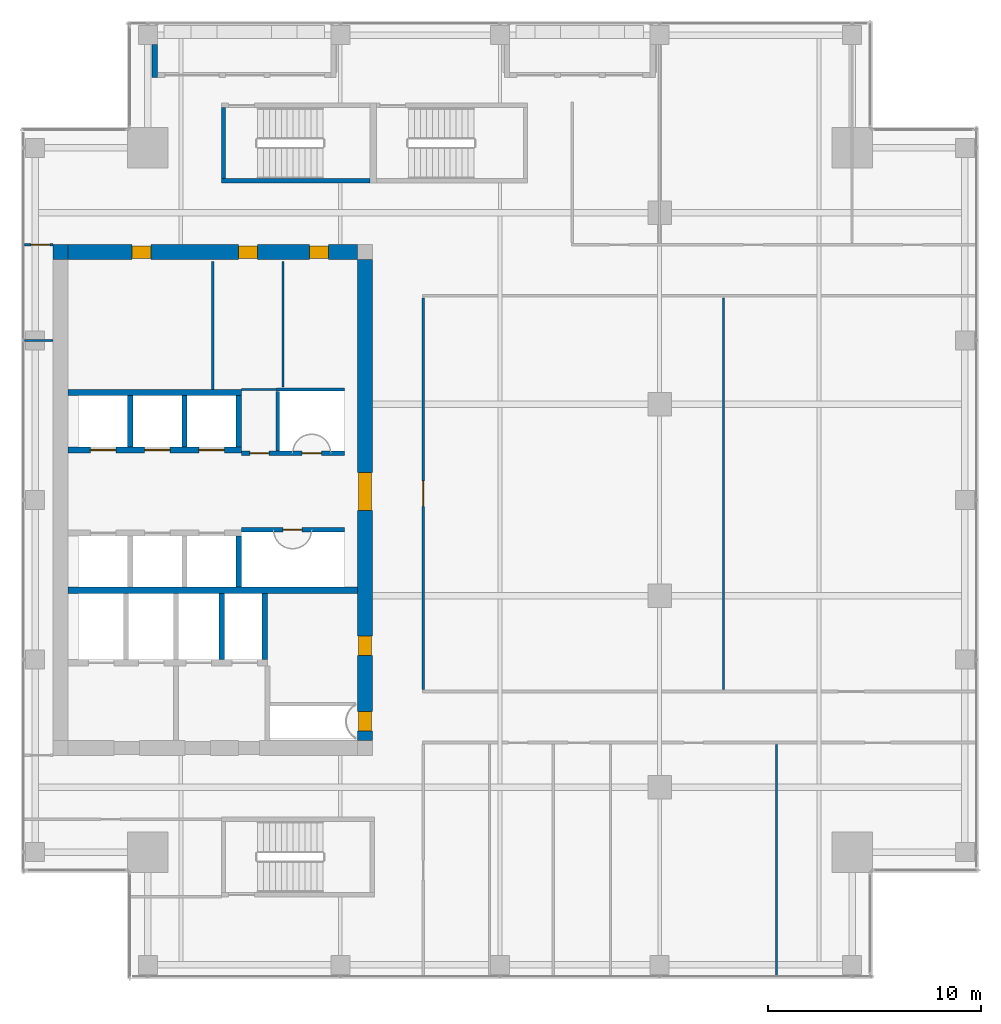
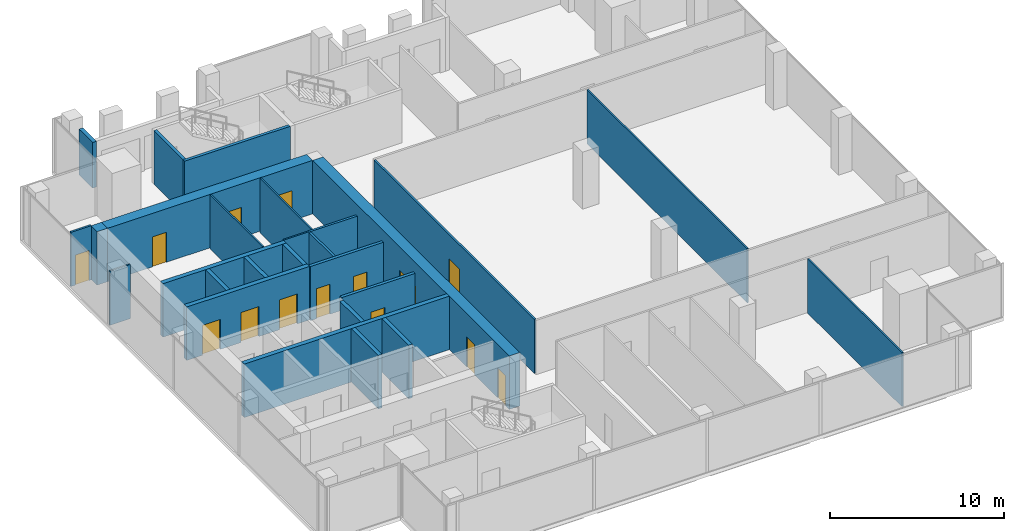
# One storey, part 31 of 35: 27 walls, 14 doors, 14 openings.
"""IFC4 building model written with IfcOpenShell, lengths in metres."""

import ifcopenshell
import ifcopenshell.guid

model = None  # the IFC model being written
_history = None  # IfcOwnerHistory: only IFC2X3 demands one
_inside = {}  # id of a spatial element -> (the spatial element, [elements in it])
_under = {}  # id of a project, library or spatial element -> (it, [spatial elements below it])
_declared = {}  # id of a project -> (the project, [libraries it declares])
_typed = {}  # id of a type object -> (the type object, [elements of that type])
_made_of = {}  # id of a material, layer set ... -> (it, [elements and type objects made of it])


def new_model(schema):
    """Start an empty IFC model of exactly this schema.

    Asked for "IFC4X3", IfcOpenShell would pick the latest addendum, in which some entities
    have other attributes; the version numbers below select the first issue.
    IFC2X3 requires an IfcOwnerHistory on every rooted entity: one is made here for all.
    """
    global model, _history
    if schema == "IFC4X3":
        model = ifcopenshell.file(schema_version=(4, 3, 0, 0))
    else:
        model = ifcopenshell.file(schema=schema)
    _inside.clear()
    _under.clear()
    _declared.clear()
    _typed.clear()
    _made_of.clear()
    _history = None
    if model.schema == "IFC2X3":
        org = make("IfcOrganization", Name="unknown")
        user = make(
            "IfcPersonAndOrganization",
            ThePerson=make("IfcPerson", FamilyName="unknown"),
            TheOrganization=org,
        )
        app = make(
            "IfcApplication",
            ApplicationDeveloper=org,
            Version="unknown",
            ApplicationFullName="unknown",
            ApplicationIdentifier="unknown",
        )
        _history = make(
            "IfcOwnerHistory",
            OwningUser=user,
            OwningApplication=app,
            ChangeAction="ADDED",
            CreationDate=0,
        )
    return model


def make(cls, **values):
    """One entity of the class cls with the attributes given. An attribute that is None is left unset."""
    return model.create_entity(
        cls, **{name: value for name, value in values.items() if value is not None}
    )


def rooted(cls, **values):
    """An entity with a GlobalId (a new one), such as an element, a storey or a relation."""
    return make(cls, GlobalId=ifcopenshell.guid.new(), OwnerHistory=_history, **values)


def si_unit(unit_type, name, prefix=None):
    """IfcSIUnit, for example si_unit("LENGTHUNIT", "METRE", prefix="MILLI")."""
    return make("IfcSIUnit", UnitType=unit_type, Prefix=prefix, Name=name)


def assignment(units):
    """IfcUnitAssignment: the units of a project."""
    return None if units is None else make("IfcUnitAssignment", Units=units)


def point(xyz):
    """IfcCartesianPoint."""
    return None if xyz is None else make("IfcCartesianPoint", Coordinates=xyz)


def direction(xyz):
    """IfcDirection."""
    return None if xyz is None else make("IfcDirection", DirectionRatios=xyz)


def frame(location, z_axis=None, x_axis=None):
    """IfcAxis2Placement3D, a coordinate frame: its origin and axes. An axis left out is left unset."""
    return make(
        "IfcAxis2Placement3D",
        Location=point(location),
        Axis=direction(z_axis),
        RefDirection=direction(x_axis),
    )


def frame_2d(location, x_axis=None):
    """IfcAxis2Placement2D, a coordinate frame in the plane: its origin and x axis."""
    return make(
        "IfcAxis2Placement2D", Location=point(location), RefDirection=direction(x_axis)
    )


def origin():
    """The frame at (0, 0, 0) with its axes left unset."""
    return frame((0.0, 0.0, 0.0))


def place(relative_to, where):
    """IfcLocalPlacement: puts the frame where relative to a parent placement (None: the world)."""
    return make(
        "IfcLocalPlacement", PlacementRelTo=relative_to, RelativePlacement=where
    )


def context(
    kind, dimensions, precision=None, world=None, true_north=None, identifier=None
):
    """IfcGeometricRepresentationContext, for example the 3D "Model" context."""
    return make(
        "IfcGeometricRepresentationContext",
        ContextIdentifier=identifier,
        ContextType=kind,
        CoordinateSpaceDimension=dimensions,
        Precision=precision,
        WorldCoordinateSystem=world,
        TrueNorth=true_north,
    )


def subcontext(parent, identifier, kind, view, scale=None):
    """IfcGeometricRepresentationSubContext, for example "Body" below "Model"."""
    return make(
        "IfcGeometricRepresentationSubContext",
        ContextIdentifier=identifier,
        ContextType=kind,
        ParentContext=parent,
        TargetScale=scale,
        TargetView=view,
    )


def project(units=None, contexts=None):
    """IfcProject with its units and contexts."""
    return rooted(
        "IfcProject",
        Name="project",
        RepresentationContexts=contexts,
        UnitsInContext=assignment(units),
    )


def spatial(cls, under=None, at=None, **own):
    """A site, building, storey or space (cls), placed at a placement, below another one or the project."""
    s = rooted(cls, ObjectPlacement=at, **own)
    if under is not None:
        _under.setdefault(under.id(), (under, []))[1].append(s)
    return s


def profile(cls, at=None, kind="AREA", **sizes):
    """A parametric profile (cls). Its sizes go by their IFC names, for example OverallWidth=200.0."""
    return make(cls, ProfileType=kind, Position=at, **sizes)


def rectangle(**sizes):
    """IfcRectangleProfileDef."""
    return profile("IfcRectangleProfileDef", **sizes)


def extrude(swept, where, along, depth):
    """IfcExtrudedAreaSolid: the profile swept, set in the frame where, extruded along a direction by depth."""
    return make(
        "IfcExtrudedAreaSolid",
        SweptArea=swept,
        Position=where,
        ExtrudedDirection=direction(along),
        Depth=depth,
    )


def shape(context_of_items, identifier, shape_type, items):
    """IfcShapeRepresentation: the items that make up one representation, for example the "Body"."""
    return make(
        "IfcShapeRepresentation",
        ContextOfItems=context_of_items,
        RepresentationIdentifier=identifier,
        RepresentationType=shape_type,
        Items=items,
    )


def source(mapping_origin, context_of_items, identifier, shape_type, items):
    """IfcRepresentationMap: a shape defined once, which mapped items show again and again."""
    return make(
        "IfcRepresentationMap",
        MappingOrigin=mapping_origin,
        MappedRepresentation=shape(context_of_items, identifier, shape_type, items),
    )


def transform(
    local_origin,
    x_axis=None,
    y_axis=None,
    z_axis=None,
    scale=None,
    scale2=None,
    scale3=None,
    uniform=True,
):
    """IfcCartesianTransformationOperator3D, or its non-uniform kind. x_axis, y_axis, z_axis: its Axis1, 2, 3."""
    if uniform:
        return make(
            "IfcCartesianTransformationOperator3D",
            Axis1=direction(x_axis),
            Axis2=direction(y_axis),
            LocalOrigin=point(local_origin),
            Scale=scale,
            Axis3=direction(z_axis),
        )
    return make(
        "IfcCartesianTransformationOperator3DnonUniform",
        Axis1=direction(x_axis),
        Axis2=direction(y_axis),
        LocalOrigin=point(local_origin),
        Scale=scale,
        Axis3=direction(z_axis),
        Scale2=scale2,
        Scale3=scale3,
    )


def mapped(mapping_source, mapping_target):
    """IfcMappedItem: shows the shape of a source again, moved by a transform."""
    return make(
        "IfcMappedItem", MappingSource=mapping_source, MappingTarget=mapping_target
    )


def material(Name=None, Category=None):
    """IfcMaterial."""
    return make("IfcMaterial", Name=Name, Category=Category)


def layer(
    of_material, thickness, ventilated=None, Name=None, Category=None, Priority=None
):
    """IfcMaterialLayer: one layer of a wall or slab, of a material (None: an air gap)."""
    return make(
        "IfcMaterialLayer",
        Material=of_material,
        LayerThickness=thickness,
        IsVentilated=ventilated,
        Name=Name,
        Category=Category,
        Priority=Priority,
    )


def layer_set(layers, Name=None):
    """IfcMaterialLayerSet."""
    return make("IfcMaterialLayerSet", MaterialLayers=layers, LayerSetName=Name)


def made_of(thing, what):
    """Note that an element or type object is made of a material, layer set ...; save() writes the relation."""
    if what is not None:
        _made_of.setdefault(what.id(), (what, []))[1].append(thing)
    return thing


def type_object(cls, material=None, **own):
    """A type object (cls), such as IfcWallType, which elements share."""
    return made_of(rooted(cls, **own), material)


def element(
    cls,
    number,
    at=None,
    inside=None,
    cuts=None,
    type_object=None,
    material=None,
    context=None,
    identifier="Body",
    shape_type=None,
    held_by="IfcProductDefinitionShape",
    body=None,
    shapes=None,
    **own,
):
    """One element of the class cls, such as IfcWall. Its Tag is "e" and its number.

    at: its placement. inside: the storey or other place that contains it. cuts: it is an
    opening in that element (IfcRelVoidsElement). A single representation is given by context,
    identifier, shape_type and body (its items); several are given by shapes. held_by: the class
    of the entity that holds the representations. save() writes the other relations.
    """
    e = rooted(cls, Tag="e%d" % number, ObjectPlacement=at, **own)
    if body is not None:
        shapes = [shape(context, identifier, shape_type, body)]
    if shapes is not None:
        e.Representation = make(held_by, Representations=shapes)
    if inside is not None:
        _inside.setdefault(inside.id(), (inside, []))[1].append(e)
    if cuts is not None:
        rooted(
            "IfcRelVoidsElement", RelatingBuildingElement=cuts, RelatedOpeningElement=e
        )
    if type_object is not None:
        _typed.setdefault(type_object.id(), (type_object, []))[1].append(e)
    return made_of(e, material)


def fill(opening, filler):
    """IfcRelFillsElement: the door or window that sits in an opening."""
    return rooted(
        "IfcRelFillsElement",
        RelatingOpeningElement=opening,
        RelatedBuildingElement=filler,
    )


def aggregate(whole, parts):
    """IfcRelAggregates: a whole, such as a stair, and the parts it consists of."""
    return rooted("IfcRelAggregates", RelatingObject=whole, RelatedObjects=parts)


def save(model, path):
    """Write the relations noted so far, then the file.

    IfcRelAggregates (storeys below a building ...), IfcRelContainedInSpatialStructure (elements
    in a storey), IfcRelDefinesByType, IfcRelAssociatesMaterial and IfcRelDeclares: one each for
    every whole, place, type object, material and project.
    """
    for whole, parts in _under.values():
        aggregate(whole, parts)
    for where, things in _inside.values():
        rooted(
            "IfcRelContainedInSpatialStructure",
            RelatedElements=things,
            RelatingStructure=where,
        )
    for kind, things in _typed.values():
        rooted("IfcRelDefinesByType", RelatedObjects=things, RelatingType=kind)
    for what, things in _made_of.values():
        rooted("IfcRelAssociatesMaterial", RelatedObjects=things, RelatingMaterial=what)
    for by, libraries in _declared.values():
        rooted("IfcRelDeclares", RelatingContext=by, RelatedDefinitions=libraries)
    model.write(path)


model = new_model("IFC4")

# Units and contexts
model_context = context("Model", 3, precision=1e-05, world=origin(), true_north=direction((0.0, 1.0)))
body_context = subcontext(model_context, "Body", "Model", "MODEL_VIEW")
ifc_project = project(units=[si_unit("LENGTHUNIT", "METRE"), si_unit("AREAUNIT", "SQUARE_METRE"), si_unit("VOLUMEUNIT", "CUBIC_METRE"), si_unit("PLANEANGLEUNIT", "RADIAN"), si_unit("MASSUNIT", "GRAM", prefix="KILO")], contexts=[model_context])

# Site, building, storey
site_placement = place(None, origin())
site = spatial("IfcSite", under=ifc_project, at=site_placement, CompositionType="ELEMENT")
building_placement = place(site_placement, origin())
building = spatial("IfcBuilding", under=site, at=building_placement, Name="Khomas Fold Tower", CompositionType="ELEMENT")
storey_placement = place(building_placement, frame((0.0, 0.0, 270.199951171875)))
storey = spatial("IfcBuildingStorey", under=building, at=storey_placement, Name="L61", CompositionType="ELEMENT", Elevation=270.199951171875)

# Walls
ifc_material_1 = material(Name="Concrete C50/60", Category="concrete")
ifc_layer_1 = layer(ifc_material_1, 0.199951171875)
ifc_layer_set_1 = layer_set([ifc_layer_1], Name="Concrete C50/60")
wall_type_1 = type_object("IfcWallType", Name="Stair wall 200", PredefinedType="SHEAR", material=ifc_layer_set_1)
shared_shape_1 = source(origin(), body_context, "Body", "SweptSolid", [
    extrude(rectangle(XDim=7.0, YDim=0.199951171875, at=frame_2d((3.5, 0.0))), origin(), (0.0, 0.0, 1.0), 3.75),
])
wall_1_placement = place(storey_placement, frame((13.89990234375, 42.0, 0.0), z_axis=(0.0, 0.0, 1.0), x_axis=(1.0, 0.0, 0.0)))
element("IfcWall", 1, at=wall_1_placement, inside=storey, type_object=wall_type_1, Name="Stair wall SW-ST1-S", PredefinedType="SHEAR", context=body_context, shape_type="MappedRepresentation", body=[
    mapped(shared_shape_1, transform((0.0, 0.0, 0.0))),
])
shared_shape_2 = source(origin(), body_context, "Body", "SweptSolid", [
    extrude(rectangle(XDim=3.349853515625, YDim=0.199951171875, at=frame_2d((1.6748046875, 0.0))), origin(), (0.0, 0.0, 1.0), 3.75),
])
wall_2_placement = place(storey_placement, frame((14.0, 42.10009765625, 0.0), z_axis=(0.0, 0.0, 1.0), x_axis=(0.0, 1.0, 0.0)))
element("IfcWall", 2, at=wall_2_placement, inside=storey, type_object=wall_type_1, Name="Stair wall SW-ST1-W", PredefinedType="SHEAR", context=body_context, shape_type="MappedRepresentation", body=[
    mapped(shared_shape_2, transform((0.0, 0.0, 0.0))),
])
ifc_material_2 = material(Name="Concrete C50/60", Category="concrete")
ifc_layer_2 = layer(ifc_material_2, 0.25)
ifc_layer_set_2 = layer_set([ifc_layer_2], Name="Concrete C50/60")
wall_type_2 = type_object("IfcWallType", Name="Shaft wall 250", PredefinedType="STANDARD", material=ifc_layer_set_2)
shared_shape_3 = source(origin(), body_context, "Body", "SweptSolid", [
    extrude(rectangle(XDim=3.10009765625, YDim=0.25, at=frame_2d((1.550048828125, 0.0))), origin(), (0.0, 0.0, 1.0), 3.75),
])
for number, where, z_axis, x_axis, name in (
    (3, (13.925048828125, 19.5, 0.0), (0.0, 0.0, 1.0), (0.0, 1.0, 0.0), "Core wall SW-FS-P3"),
    (4, (15.949951171875, 19.5, 0.0), (0.0, 0.0, 1.0), (0.0, 1.0, 0.0), "Core wall SW-FS-PE"),
):
    element("IfcWall", number, at=place(storey_placement, frame(where, z_axis=z_axis, x_axis=x_axis)), inside=storey, type_object=wall_type_2, Name=name, PredefinedType="STANDARD", context=body_context, shape_type="MappedRepresentation", body=[
        mapped(shared_shape_3, transform((0.0, 0.0, 0.0))),
    ])
shared_shape_4 = source(origin(), body_context, "Body", "SweptSolid", [
    extrude(rectangle(XDim=2.39990234375, YDim=0.25, at=frame_2d((1.199951171875, 0.0))), origin(), (0.0, 0.0, 1.0), 3.75),
])
for number, where, z_axis, x_axis, name in (
    (5, (9.625, 29.5, 0.0), (0.0, 0.0, 1.0), (0.0, 1.0, 0.0), "Core wall SW-HRN-P1"),
    (6, (12.175048828125, 29.5, 0.0), (0.0, 0.0, 1.0), (0.0, 1.0, 0.0), "Core wall SW-HRN-P2"),
    (7, (14.72509765625, 29.5, 0.0), (0.0, 0.0, 1.0), (0.0, 1.0, 0.0), "Core wall SW-HRN-PE"),
):
    element("IfcWall", number, at=place(storey_placement, frame(where, z_axis=z_axis, x_axis=x_axis)), inside=storey, type_object=wall_type_2, Name=name, PredefinedType="STANDARD", context=body_context, shape_type="MappedRepresentation", body=[
        mapped(shared_shape_4, transform((0.0, 0.0, 0.0))),
    ])
shared_shape_5 = source(origin(), body_context, "Body", "SweptSolid", [
    extrude(rectangle(XDim=2.400146484375, YDim=0.25, at=frame_2d((1.2001953125, 0.0))), origin(), (0.0, 0.0, 1.0), 3.75),
])
wall_3_placement = place(storey_placement, frame((14.72509765625, 22.89990234375, 0.0), z_axis=(0.0, 0.0, 1.0), x_axis=(0.0, 1.0, 0.0)))
element("IfcWall", 8, at=wall_3_placement, inside=storey, type_object=wall_type_2, Name="Core wall SW-HRS-PE", PredefinedType="STANDARD", context=body_context, shape_type="MappedRepresentation", body=[
    mapped(shared_shape_5, transform((0.0, 0.0, 0.0))),
])

# Wall, openings, doors
ifc_material_3 = material(Name="Concrete C60/75", Category="concrete")
ifc_layer_3 = layer(ifc_material_3, 0.699951171875)
ifc_layer_set_3 = layer_set([ifc_layer_3], Name="Concrete C60/75")
wall_type_3 = type_object("IfcWallType", Name="Core wall 700", PredefinedType="SHEAR", material=ifc_layer_set_3)
shared_shape_6 = source(origin(), body_context, "Body", "SweptSolid", [
    extrude(rectangle(XDim=13.60009765625, YDim=0.699951171875, at=frame_2d((6.800048828125, 0.0))), origin(), (0.0, 0.0, 1.0), 3.75),
])
wall_4_placement = place(storey_placement, frame((6.699951171875, 38.64990234375, 0.0), z_axis=(0.0, 0.0, 1.0), x_axis=(1.0, 0.0, 0.0)))
wall_4 = element("IfcWall", 9, at=wall_4_placement, inside=storey, type_object=wall_type_3, Name="Core wall CW-U-N-L49", PredefinedType="SHEAR", context=body_context, shape_type="MappedRepresentation", body=[
    mapped(shared_shape_6, transform((0.0, 0.0, 0.0))),
])
shared_shape_7 = source(origin(), body_context, "Body", "SweptSolid", [
    extrude(rectangle(XDim=0.89990234375, YDim=2.10009765625, at=frame_2d((0.449951171875, 1.050048828125))), frame((0.0, 0.35986328125, 0.0), z_axis=(0.0, -1.0, 0.0), x_axis=(1.0, 0.0, 0.0)), (0.0, 0.0, 1.0), 0.719970703125),
])
opening_1_placement = place(wall_4_placement, frame((3.0, 0.0, 0.0)))
opening_1 = element("IfcOpeningElement", 10, at=opening_1_placement, cuts=wall_4, Name="Opening 0008", PredefinedType="OPENING", context=body_context, shape_type="MappedRepresentation", body=[
    mapped(shared_shape_7, transform((0.0, 0.0, 0.0))),
])
opening_2_placement = place(wall_4_placement, frame((8.0, 0.0, 0.0)))
opening_2 = element("IfcOpeningElement", 11, at=opening_2_placement, cuts=wall_4, Name="Opening 0008", PredefinedType="OPENING", context=body_context, shape_type="MappedRepresentation", body=[
    mapped(shared_shape_7, transform((0.0, 0.0, 0.0))),
])
opening_3_placement = place(wall_4_placement, frame((11.35009765625, 0.0, 0.0)))
opening_3 = element("IfcOpeningElement", 12, at=opening_3_placement, cuts=wall_4, Name="Opening 0008", PredefinedType="OPENING", context=body_context, shape_type="MappedRepresentation", body=[
    mapped(shared_shape_7, transform((0.0, 0.0, 0.0))),
])
ifc_material_4 = material(Name="Timber door leaf", Category="wood")
door_type_1 = type_object("IfcDoorType", Name="Door 900x2100 right-hand", OperationType="SINGLE_SWING_RIGHT", PredefinedType="DOOR", material=ifc_material_4)
shared_shape_8 = source(origin(), body_context, "Body", "SweptSolid", [
    extrude(rectangle(XDim=0.89990234375, YDim=2.10009765625, at=frame_2d((0.449951171875, 1.050048828125))), frame((0.0, 0.2998046875, 0.0), z_axis=(0.0, -1.0, 0.0), x_axis=(1.0, 0.0, 0.0)), (0.0, 0.0, 1.0), 0.599853515625),
])
door_1_placement = place(opening_1_placement, origin())
door_1 = element("IfcDoor", 13, at=door_1_placement, inside=storey, type_object=door_type_1, Name="Door", OperationType="SINGLE_SWING_RIGHT", OverallHeight=2.10009765625, OverallWidth=0.89990234375, PredefinedType="DOOR", context=body_context, shape_type="MappedRepresentation", body=[
    mapped(shared_shape_8, transform((0.0, 0.0, 0.0))),
])
fill(opening_1, door_1)
door_2_placement = place(opening_2_placement, origin())
door_2 = element("IfcDoor", 14, at=door_2_placement, inside=storey, type_object=door_type_1, Name="Door", OperationType="SINGLE_SWING_RIGHT", OverallHeight=2.10009765625, OverallWidth=0.89990234375, PredefinedType="DOOR", context=body_context, shape_type="MappedRepresentation", body=[
    mapped(shared_shape_8, transform((0.0, 0.0, 0.0))),
])
fill(opening_2, door_2)
door_3_placement = place(opening_3_placement, origin())
door_3 = element("IfcDoor", 15, at=door_3_placement, inside=storey, type_object=door_type_1, Name="Door", OperationType="SINGLE_SWING_RIGHT", OverallHeight=2.10009765625, OverallWidth=0.89990234375, PredefinedType="DOOR", context=body_context, shape_type="MappedRepresentation", body=[
    mapped(shared_shape_8, transform((0.0, 0.0, 0.0))),
])
fill(opening_3, door_3)

# Wall
ifc_material_5 = material(Name="Concrete C60/75", Category="concrete")
ifc_layer_4 = layer(ifc_material_5, 0.699951171875)
ifc_layer_set_4 = layer_set([ifc_layer_4], Name="Concrete C60/75")
wall_type_4 = type_object("IfcWallType", Name="Core corner wall 700", PredefinedType="SHEAR", material=ifc_layer_set_4)
shared_shape_9 = source(origin(), body_context, "Body", "SweptSolid", [
    extrude(rectangle(XDim=0.699951171875, YDim=0.699951171875, at=frame_2d((0.35009765625, 0.0))), origin(), (0.0, 0.0, 1.0), 3.75),
])
wall_5_placement = place(storey_placement, frame((6.0, 38.64990234375, 0.0), z_axis=(0.0, 0.0, 1.0), x_axis=(1.0, 0.0, 0.0)))
element("IfcWall", 16, at=wall_5_placement, inside=storey, type_object=wall_type_4, Name="Core wall CW-U-NW-L49", PredefinedType="SHEAR", context=body_context, shape_type="MappedRepresentation", body=[
    mapped(shared_shape_9, transform((0.0, 0.0, 0.0))),
])

# Wall, openings, doors
shared_shape_10 = source(origin(), body_context, "Body", "SweptSolid", [
    extrude(rectangle(XDim=22.60009765625, YDim=0.699951171875, at=frame_2d((11.300048828125, 0.0))), origin(), (0.0, 0.0, 1.0), 3.75),
])
wall_6_placement = place(storey_placement, frame((20.64990234375, 15.699951171875, 0.0), z_axis=(0.0, 0.0, 1.0), x_axis=(0.0, 1.0, 0.0)))
wall_6 = element("IfcWall", 17, at=wall_6_placement, inside=storey, type_object=wall_type_3, Name="Core wall CW-U-E-L49", PredefinedType="SHEAR", context=body_context, shape_type="MappedRepresentation", body=[
    mapped(shared_shape_10, transform((0.0, 0.0, 0.0))),
])
shared_shape_11 = source(origin(), body_context, "Body", "SweptSolid", [
    extrude(rectangle(XDim=1.800048828125, YDim=2.10009765625, at=frame_2d((0.89990234375, 1.050048828125))), frame((0.0, 0.35986328125, 0.0), z_axis=(0.0, -1.0, 0.0), x_axis=(1.0, 0.0, 0.0)), (0.0, 0.0, 1.0), 0.719970703125),
])
opening_4_placement = place(wall_6_placement, frame((10.800048828125, 0.0, 0.0)))
opening_4 = element("IfcOpeningElement", 18, at=opening_4_placement, cuts=wall_6, Name="Opening 0015", PredefinedType="OPENING", context=body_context, shape_type="MappedRepresentation", body=[
    mapped(shared_shape_11, transform((0.0, 0.0, 0.0))),
])
opening_5_placement = place(wall_6_placement, frame((0.449951171875, 0.0, 0.0)))
opening_5 = element("IfcOpeningElement", 19, at=opening_5_placement, cuts=wall_6, Name="Opening 0003", PredefinedType="OPENING", context=body_context, shape_type="MappedRepresentation", body=[
    mapped(shared_shape_7, transform((0.0, 0.0, 0.0))),
])
opening_6_placement = place(wall_6_placement, frame((4.0, 0.0, 0.0)))
opening_6 = element("IfcOpeningElement", 20, at=opening_6_placement, cuts=wall_6, Name="Opening 0008", PredefinedType="OPENING", context=body_context, shape_type="MappedRepresentation", body=[
    mapped(shared_shape_7, transform((0.0, 0.0, 0.0))),
])
ifc_material_6 = material(Name="Steel door leaf", Category="steel")
door_type_2 = type_object("IfcDoorType", Name="Lobby door 1800x2100", OperationType="DOUBLE_DOOR_SINGLE_SWING", PredefinedType="DOOR", material=ifc_material_6)
shared_shape_12 = source(origin(), body_context, "Body", "SweptSolid", [
    extrude(rectangle(XDim=1.800048828125, YDim=2.10009765625, at=frame_2d((0.89990234375, 1.050048828125))), frame((0.0, 0.2998046875, 0.0), z_axis=(0.0, -1.0, 0.0), x_axis=(1.0, 0.0, 0.0)), (0.0, 0.0, 1.0), 0.599853515625),
])
door_4_placement = place(opening_4_placement, origin())
door_4 = element("IfcDoor", 21, at=door_4_placement, inside=storey, type_object=door_type_2, Name="Lobby door", OperationType="DOUBLE_DOOR_SINGLE_SWING", OverallHeight=2.10009765625, OverallWidth=1.800048828125, PredefinedType="DOOR", context=body_context, shape_type="MappedRepresentation", body=[
    mapped(shared_shape_12, transform((0.0, 0.0, 0.0))),
])
fill(opening_4, door_4)
ifc_material_7 = material(Name="Steel door leaf", Category="steel")
door_type_3 = type_object("IfcDoorType", Name="Plant room door 900x2100 right-hand", OperationType="SINGLE_SWING_RIGHT", PredefinedType="DOOR", material=ifc_material_7)
door_5_placement = place(opening_5_placement, origin())
door_5 = element("IfcDoor", 22, at=door_5_placement, inside=storey, type_object=door_type_3, Name="Plant room door", OperationType="SINGLE_SWING_RIGHT", OverallHeight=2.10009765625, OverallWidth=0.89990234375, PredefinedType="DOOR", context=body_context, shape_type="MappedRepresentation", body=[
    mapped(shared_shape_8, transform((0.0, 0.0, 0.0))),
])
fill(opening_5, door_5)
door_6_placement = place(opening_6_placement, origin())
door_6 = element("IfcDoor", 23, at=door_6_placement, inside=storey, type_object=door_type_1, Name="Door", OperationType="SINGLE_SWING_RIGHT", OverallHeight=2.10009765625, OverallWidth=0.89990234375, PredefinedType="DOOR", context=body_context, shape_type="MappedRepresentation", body=[
    mapped(shared_shape_8, transform((0.0, 0.0, 0.0))),
])
fill(opening_6, door_6)

# Walls
ifc_material_8 = material(Name="Concrete C50/60", Category="concrete")
ifc_layer_5 = layer(ifc_material_8, 0.300048828125)
ifc_layer_set_5 = layer_set([ifc_layer_5], Name="Concrete C50/60")
wall_type_5 = type_object("IfcWallType", Name="Shaft wall 300", PredefinedType="STANDARD", material=ifc_layer_set_5)
shared_shape_13 = source(origin(), body_context, "Body", "SweptSolid", [
    extrude(rectangle(XDim=13.60009765625, YDim=0.300048828125, at=frame_2d((6.800048828125, 0.0))), origin(), (0.0, 0.0, 1.0), 3.75),
])
wall_7_placement = place(storey_placement, frame((6.699951171875, 22.75, 0.0), z_axis=(0.0, 0.0, 1.0), x_axis=(1.0, 0.0, 0.0)))
element("IfcWall", 24, at=wall_7_placement, inside=storey, type_object=wall_type_5, Name="Core wall SW-FS-B", PredefinedType="STANDARD", context=body_context, shape_type="MappedRepresentation", body=[
    mapped(shared_shape_13, transform((0.0, 0.0, 0.0))),
])
shared_shape_14 = source(origin(), body_context, "Body", "SweptSolid", [
    extrude(rectangle(XDim=8.150146484375, YDim=0.300048828125, at=frame_2d((4.0751953125, 0.0))), origin(), (0.0, 0.0, 1.0), 3.75),
])
wall_8_placement = place(storey_placement, frame((6.699951171875, 32.050048828125, 0.0), z_axis=(0.0, 0.0, 1.0), x_axis=(1.0, 0.0, 0.0)))
element("IfcWall", 25, at=wall_8_placement, inside=storey, type_object=wall_type_5, Name="Core wall SW-HRN-B", PredefinedType="STANDARD", context=body_context, shape_type="MappedRepresentation", body=[
    mapped(shared_shape_14, transform((0.0, 0.0, 0.0))),
])

# Wall, openings, doors
wall_9_placement = place(storey_placement, frame((6.699951171875, 29.35009765625, 0.0), z_axis=(0.0, 0.0, 1.0), x_axis=(1.0, 0.0, 0.0)))
wall_9 = element("IfcWall", 26, at=wall_9_placement, inside=storey, type_object=wall_type_5, Name="Core wall SW-HRN-F", PredefinedType="STANDARD", context=body_context, shape_type="MappedRepresentation", body=[
    mapped(shared_shape_14, transform((0.0, 0.0, 0.0))),
])
shared_shape_15 = source(origin(), body_context, "Body", "SweptSolid", [
    extrude(rectangle(XDim=1.199951171875, YDim=2.10009765625, at=frame_2d((0.60009765625, 1.050048828125))), frame((0.0, 0.159912109375, 0.0), z_axis=(0.0, -1.0, 0.0), x_axis=(1.0, 0.0, 0.0)), (0.0, 0.0, 1.0), 0.320068359375),
])
opening_7_placement = place(wall_9_placement, frame((1.050048828125, 0.0, 0.0)))
opening_7 = element("IfcOpeningElement", 27, at=opening_7_placement, cuts=wall_9, Name="Opening LD-HR4", PredefinedType="OPENING", context=body_context, shape_type="MappedRepresentation", body=[
    mapped(shared_shape_15, transform((0.0, 0.0, 0.0))),
])
opening_8_placement = place(wall_9_placement, frame((3.60009765625, 0.0, 0.0)))
opening_8 = element("IfcOpeningElement", 28, at=opening_8_placement, cuts=wall_9, Name="Opening LD-HR5", PredefinedType="OPENING", context=body_context, shape_type="MappedRepresentation", body=[
    mapped(shared_shape_15, transform((0.0, 0.0, 0.0))),
])
opening_9_placement = place(wall_9_placement, frame((6.14990234375, 0.0, 0.0)))
opening_9 = element("IfcOpeningElement", 29, at=opening_9_placement, cuts=wall_9, Name="Opening LD-HR6", PredefinedType="OPENING", context=body_context, shape_type="MappedRepresentation", body=[
    mapped(shared_shape_15, transform((0.0, 0.0, 0.0))),
])
ifc_material_9 = material(Name="Steel door leaf", Category="steel")
door_type_4 = type_object("IfcDoorType", Name="Landing door 1200x2100", OperationType="DOUBLE_DOOR_SLIDING", PredefinedType="DOOR", material=ifc_material_9)
shared_shape_16 = source(origin(), body_context, "Body", "SweptSolid", [
    extrude(rectangle(XDim=1.199951171875, YDim=2.10009765625, at=frame_2d((0.60009765625, 1.050048828125))), frame((0.0, 0.02490234375, 0.0), z_axis=(0.0, -1.0, 0.0), x_axis=(1.0, 0.0, 0.0)), (0.0, 0.0, 1.0), 0.050048828125),
])
door_7_placement = place(opening_7_placement, origin())
door_7 = element("IfcDoor", 30, at=door_7_placement, inside=storey, type_object=door_type_4, Name="Lift landing door", OperationType="DOUBLE_DOOR_SLIDING", OverallHeight=2.10009765625, OverallWidth=1.199951171875, PredefinedType="DOOR", context=body_context, shape_type="MappedRepresentation", body=[
    mapped(shared_shape_16, transform((0.0, 0.0, 0.0))),
])
fill(opening_7, door_7)
door_8_placement = place(opening_8_placement, origin())
door_8 = element("IfcDoor", 31, at=door_8_placement, inside=storey, type_object=door_type_4, Name="Lift landing door", OperationType="DOUBLE_DOOR_SLIDING", OverallHeight=2.10009765625, OverallWidth=1.199951171875, PredefinedType="DOOR", context=body_context, shape_type="MappedRepresentation", body=[
    mapped(shared_shape_16, transform((0.0, 0.0, 0.0))),
])
fill(opening_8, door_8)
door_9_placement = place(opening_9_placement, origin())
door_9 = element("IfcDoor", 32, at=door_9_placement, inside=storey, type_object=door_type_4, Name="Lift landing door", OperationType="DOUBLE_DOOR_SLIDING", OverallHeight=2.10009765625, OverallWidth=1.199951171875, PredefinedType="DOOR", context=body_context, shape_type="MappedRepresentation", body=[
    mapped(shared_shape_16, transform((0.0, 0.0, 0.0))),
])
fill(opening_9, door_9)

# Walls
ifc_material_10 = material(Name="Natural stone", Category="masonry")
ifc_layer_6 = layer(ifc_material_10, 0.0400390625)
ifc_material_11 = material(Name="Mineral wool insulation", Category="insulation")
ifc_layer_7 = layer(ifc_material_11, 0.10009765625)
ifc_material_12 = material(Name="Masonry", Category="masonry")
ifc_layer_8 = layer(ifc_material_12, 0.110107421875)
ifc_layer_set_6 = layer_set([ifc_layer_6, ifc_layer_7, ifc_layer_8], Name="Stone-faced insulated masonry")
wall_type_6 = type_object("IfcWallType", Name="BL-Balcony wall", PredefinedType="SOLIDWALL", material=ifc_layer_set_6)
shared_shape_17 = source(origin(), body_context, "Body", "SweptSolid", [
    extrude(rectangle(XDim=1.5498046875, YDim=0.25, at=frame_2d((0.77490234375, 0.0))), origin(), (0.0, 0.0, 1.0), 3.199951171875),
])
wall_10_placement = place(storey_placement, frame((10.77490234375, 48.39990234375, 0.0), z_axis=(0.0, 0.0, 1.0), x_axis=(0.0, -1.0, 0.0)))
element("IfcWall", 33, at=wall_10_placement, inside=storey, type_object=wall_type_6, Name="Balcony return wall BAL-L61-N1-lo", PredefinedType="SOLIDWALL", context=body_context, shape_type="MappedRepresentation", body=[
    mapped(shared_shape_17, transform((0.0, 0.0, 0.0))),
])
ifc_material_13 = material(Name="Plasterboard partition")
ifc_layer_9 = layer(ifc_material_13, 0.10009765625)
ifc_layer_set_7 = layer_set([ifc_layer_9], Name="Plasterboard partition")
wall_type_7 = type_object("IfcWallType", Name="Partition PW1 100", PredefinedType="PARTITIONING", material=ifc_layer_set_7)
shared_shape_18 = source(origin(), body_context, "Body", "SweptSolid", [
    extrude(rectangle(XDim=6.0, YDim=0.10009765625, at=frame_2d((3.0, 0.0))), origin(), (0.0, 0.0, 1.0), 3.800048828125),
])
wall_11_placement = place(storey_placement, frame((13.5, 32.199951171875, 0.0), z_axis=(0.0, 0.0, 1.0), x_axis=(0.0, 1.0, 0.0)))
element("IfcWall", 34, at=wall_11_placement, inside=storey, type_object=wall_type_7, Name="Partition", PredefinedType="PARTITIONING", context=body_context, shape_type="MappedRepresentation", body=[
    mapped(shared_shape_18, transform((0.0, 0.0, 0.0))),
])
shared_shape_19 = source(origin(), body_context, "Body", "SweptSolid", [
    extrude(rectangle(XDim=10.85009765625, YDim=0.10009765625, at=frame_2d((5.425048828125, 0.0))), origin(), (0.0, 0.0, 1.0), 3.800048828125),
])
wall_12_placement = place(storey_placement, frame((40.0, 4.64990234375, 0.0), z_axis=(0.0, 0.0, 1.0), x_axis=(0.0, 1.0, 0.0)))
element("IfcWall", 35, at=wall_12_placement, inside=storey, type_object=wall_type_7, Name="Partition", PredefinedType="PARTITIONING", context=body_context, shape_type="MappedRepresentation", body=[
    mapped(shared_shape_19, transform((0.0, 0.0, 0.0))),
])

# Wall, opening, door
ifc_material_14 = material(Name="Plasterboard partition")
ifc_layer_10 = layer(ifc_material_14, 0.125)
ifc_layer_set_8 = layer_set([ifc_layer_10], Name="Plasterboard partition")
wall_type_8 = type_object("IfcWallType", Name="Partition PW2 125", PredefinedType="PARTITIONING", material=ifc_layer_set_8)
shared_shape_20 = source(origin(), body_context, "Body", "SweptSolid", [
    extrude(rectangle(XDim=1.35009765625, YDim=0.125, at=frame_2d((0.675048828125, 0.0))), origin(), (0.0, 0.0, 1.0), 3.800048828125),
])
wall_13_placement = place(storey_placement, frame((4.64990234375, 39.0, 0.0), z_axis=(0.0, 0.0, 1.0), x_axis=(1.0, 0.0, 0.0)))
wall_13 = element("IfcWall", 36, at=wall_13_placement, inside=storey, type_object=wall_type_8, Name="Partition", PredefinedType="PARTITIONING", context=body_context, shape_type="MappedRepresentation", body=[
    mapped(shared_shape_20, transform((0.0, 0.0, 0.0))),
])
shared_shape_21 = source(origin(), body_context, "Body", "SweptSolid", [
    extrude(rectangle(XDim=0.89990234375, YDim=2.10009765625, at=frame_2d((0.449951171875, 1.050048828125))), frame((0.0, 0.072509765625, 0.0), z_axis=(0.0, -1.0, 0.0), x_axis=(1.0, 0.0, 0.0)), (0.0, 0.0, 1.0), 0.14501953125),
])
opening_10_placement = place(wall_13_placement, frame((0.300048828125, 0.0, 0.0)))
opening_10 = element("IfcOpeningElement", 37, at=opening_10_placement, cuts=wall_13, Name="Opening 0008", PredefinedType="OPENING", context=body_context, shape_type="MappedRepresentation", body=[
    mapped(shared_shape_21, transform((0.0, 0.0, 0.0))),
])
shared_shape_22 = source(origin(), body_context, "Body", "SweptSolid", [
    extrude(rectangle(XDim=0.89990234375, YDim=2.10009765625, at=frame_2d((0.449951171875, 1.050048828125))), frame((0.0, 0.02490234375, 0.0), z_axis=(0.0, -1.0, 0.0), x_axis=(1.0, 0.0, 0.0)), (0.0, 0.0, 1.0), 0.050048828125),
])
door_10_placement = place(opening_10_placement, origin())
door_10 = element("IfcDoor", 38, at=door_10_placement, inside=storey, type_object=door_type_1, Name="Door", OperationType="SINGLE_SWING_RIGHT", OverallHeight=2.10009765625, OverallWidth=0.89990234375, PredefinedType="DOOR", context=body_context, shape_type="MappedRepresentation", body=[
    mapped(shared_shape_22, transform((0.0, 0.0, 0.0))),
])
fill(opening_10, door_10)

shared_shape_23 = source(origin(), body_context, "Body", "SweptSolid", [
    extrude(rectangle(XDim=18.39990234375, YDim=0.125, at=frame_2d((9.199951171875, 0.0))), origin(), (0.0, 0.0, 1.0), 3.800048828125),
])
wall_14_placement = place(storey_placement, frame((23.39990234375, 18.10009765625, 0.0), z_axis=(0.0, 0.0, 1.0), x_axis=(0.0, 1.0, 0.0)))
wall_14 = element("IfcWall", 39, at=wall_14_placement, inside=storey, type_object=wall_type_8, Name="Partition", PredefinedType="PARTITIONING", context=body_context, shape_type="MappedRepresentation", body=[
    mapped(shared_shape_23, transform((0.0, 0.0, 0.0))),
])
shared_shape_24 = source(origin(), body_context, "Body", "SweptSolid", [
    extrude(rectangle(XDim=1.199951171875, YDim=2.10009765625, at=frame_2d((0.60009765625, 1.050048828125))), frame((0.0, 0.072509765625, 0.0), z_axis=(0.0, -1.0, 0.0), x_axis=(1.0, 0.0, 0.0)), (0.0, 0.0, 1.0), 0.14501953125),
])
opening_11_placement = place(wall_14_placement, frame((8.60009765625, 0.0, 0.0)))
opening_11 = element("IfcOpeningElement", 40, at=opening_11_placement, cuts=wall_14, Name="Opening 0001", PredefinedType="OPENING", context=body_context, shape_type="MappedRepresentation", body=[
    mapped(shared_shape_24, transform((0.0, 0.0, 0.0))),
])
ifc_material_15 = material(Name="Timber door leaf", Category="wood")
door_type_5 = type_object("IfcDoorType", Name="Door 1200x2100 right-hand", OperationType="SINGLE_SWING_RIGHT", PredefinedType="DOOR", material=ifc_material_15)
door_11_placement = place(opening_11_placement, origin())
door_11 = element("IfcDoor", 41, at=door_11_placement, inside=storey, type_object=door_type_5, Name="Door", OperationType="SINGLE_SWING_RIGHT", OverallHeight=2.10009765625, OverallWidth=1.199951171875, PredefinedType="DOOR", context=body_context, shape_type="MappedRepresentation", body=[
    mapped(shared_shape_16, transform((0.0, 0.0, 0.0))),
])
fill(opening_11, door_11)

# Walls
shared_shape_25 = source(origin(), body_context, "Body", "SweptSolid", [
    extrude(rectangle(XDim=18.39990234375, YDim=0.10009765625, at=frame_2d((9.199951171875, 0.0))), origin(), (0.0, 0.0, 1.0), 3.800048828125),
])
wall_15_placement = place(storey_placement, frame((37.5, 18.10009765625, 0.0), z_axis=(0.0, 0.0, 1.0), x_axis=(0.0, 1.0, 0.0)))
element("IfcWall", 42, at=wall_15_placement, inside=storey, type_object=wall_type_7, Name="Partition", PredefinedType="PARTITIONING", context=body_context, shape_type="MappedRepresentation", body=[
    mapped(shared_shape_25, transform((0.0, 0.0, 0.0))),
])
shared_shape_26 = source(origin(), body_context, "Body", "SweptSolid", [
    extrude(rectangle(XDim=1.35009765625, YDim=0.10009765625, at=frame_2d((0.675048828125, 0.0))), origin(), (0.0, 0.0, 1.0), 3.800048828125),
])
wall_16_placement = place(storey_placement, frame((4.64990234375, 34.5, 0.0), z_axis=(0.0, 0.0, 1.0), x_axis=(1.0, 0.0, 0.0)))
element("IfcWall", 43, at=wall_16_placement, inside=storey, type_object=wall_type_7, Name="Partition", PredefinedType="PARTITIONING", context=body_context, shape_type="MappedRepresentation", body=[
    mapped(shared_shape_26, transform((0.0, 0.0, 0.0))),
])

# Wall, opening, door
ifc_material_16 = material(Name="Concrete C30/37", Category="concrete")
ifc_layer_11 = layer(ifc_material_16, 0.199951171875)
ifc_layer_set_9 = layer_set([ifc_layer_11], Name="Concrete C30/37")
wall_type_9 = type_object("IfcWallType", Name="Lobby wall PW4 200", PredefinedType="PARTITIONING", material=ifc_layer_set_9)
shared_shape_27 = source(origin(), body_context, "Body", "SweptSolid", [
    extrude(rectangle(XDim=4.849853515625, YDim=0.199951171875, at=frame_2d((2.4248046875, 0.0))), origin(), (0.0, 0.0, 1.0), 3.800048828125),
])
wall_17_placement = place(storey_placement, frame((14.85009765625, 25.60009765625, 0.0), z_axis=(0.0, 0.0, 1.0), x_axis=(1.0, 0.0, 0.0)))
wall_17 = element("IfcWall", 44, at=wall_17_placement, inside=storey, type_object=wall_type_9, Name="Lobby wall", PredefinedType="PARTITIONING", context=body_context, shape_type="MappedRepresentation", body=[
    mapped(shared_shape_27, transform((0.0, 0.0, 0.0))),
])
shared_shape_28 = source(origin(), body_context, "Body", "SweptSolid", [
    extrude(rectangle(XDim=0.89990234375, YDim=2.10009765625, at=frame_2d((0.449951171875, 1.050048828125))), frame((0.0, 0.10986328125, 0.0), z_axis=(0.0, -1.0, 0.0), x_axis=(1.0, 0.0, 0.0)), (0.0, 0.0, 1.0), 0.219970703125),
])
opening_12_placement = place(wall_17_placement, frame((1.949951171875, 0.0, 0.0)))
opening_12 = element("IfcOpeningElement", 45, at=opening_12_placement, cuts=wall_17, Name="Opening 0002", PredefinedType="OPENING", context=body_context, shape_type="MappedRepresentation", body=[
    mapped(shared_shape_28, transform((0.0, 0.0, 0.0))),
])
ifc_material_17 = material(Name="Steel door leaf", Category="steel")
door_type_6 = type_object("IfcDoorType", Name="Plant room door 900x2100 left-hand", OperationType="SINGLE_SWING_LEFT", PredefinedType="DOOR", material=ifc_material_17)
door_12_placement = place(opening_12_placement, origin())
door_12 = element("IfcDoor", 46, at=door_12_placement, inside=storey, type_object=door_type_6, Name="Plant room door", OperationType="SINGLE_SWING_LEFT", OverallHeight=2.10009765625, OverallWidth=0.89990234375, PredefinedType="DOOR", context=body_context, shape_type="MappedRepresentation", body=[
    mapped(shared_shape_22, transform((0.0, 0.0, 0.0))),
])
fill(opening_12, door_12)

# Wall, openings, doors
wall_18_placement = place(storey_placement, frame((14.85009765625, 29.199951171875, 0.0), z_axis=(0.0, 0.0, 1.0), x_axis=(1.0, 0.0, 0.0)))
wall_18 = element("IfcWall", 47, at=wall_18_placement, inside=storey, type_object=wall_type_9, Name="Lobby wall", PredefinedType="PARTITIONING", context=body_context, shape_type="MappedRepresentation", body=[
    mapped(shared_shape_27, transform((0.0, 0.0, 0.0))),
])
opening_13_placement = place(wall_18_placement, frame((0.39990234375, 0.0, 0.0)))
opening_13 = element("IfcOpeningElement", 48, at=opening_13_placement, cuts=wall_18, Name="Opening 0021", PredefinedType="OPENING", context=body_context, shape_type="MappedRepresentation", body=[
    mapped(shared_shape_28, transform((0.0, 0.0, 0.0))),
])
opening_14_placement = place(wall_18_placement, frame((2.85009765625, 0.0, 0.0)))
opening_14 = element("IfcOpeningElement", 49, at=opening_14_placement, cuts=wall_18, Name="Opening 0003", PredefinedType="OPENING", context=body_context, shape_type="MappedRepresentation", body=[
    mapped(shared_shape_28, transform((0.0, 0.0, 0.0))),
])
ifc_material_18 = material(Name="Steel door leaf", Category="steel")
door_type_7 = type_object("IfcDoorType", Name="Lobby door 900x2100 left-hand", OperationType="SINGLE_SWING_LEFT", PredefinedType="DOOR", material=ifc_material_18)
door_13_placement = place(opening_13_placement, origin())
door_13 = element("IfcDoor", 50, at=door_13_placement, inside=storey, type_object=door_type_7, Name="Lobby door", OperationType="SINGLE_SWING_LEFT", OverallHeight=2.10009765625, OverallWidth=0.89990234375, PredefinedType="DOOR", context=body_context, shape_type="MappedRepresentation", body=[
    mapped(shared_shape_22, transform((0.0, 0.0, 0.0))),
])
fill(opening_13, door_13)
door_14_placement = place(opening_14_placement, origin())
door_14 = element("IfcDoor", 51, at=door_14_placement, inside=storey, type_object=door_type_3, Name="Plant room door", OperationType="SINGLE_SWING_RIGHT", OverallHeight=2.10009765625, OverallWidth=0.89990234375, PredefinedType="DOOR", context=body_context, shape_type="MappedRepresentation", body=[
    mapped(shared_shape_22, transform((0.0, 0.0, 0.0))),
])
fill(opening_14, door_14)

# Walls
ifc_material_19 = material(Name="Plasterboard fire partition")
ifc_layer_12 = layer(ifc_material_19, 0.14990234375)
ifc_layer_set_10 = layer_set([ifc_layer_12], Name="Plasterboard fire partition")
wall_type_10 = type_object("IfcWallType", Name="Plant room wall PW3 150", PredefinedType="PARTITIONING", material=ifc_layer_set_10)
shared_shape_29 = source(origin(), body_context, "Body", "SweptSolid", [
    extrude(rectangle(XDim=2.800048828125, YDim=0.14990234375, at=frame_2d((1.39990234375, 0.0))), origin(), (0.0, 0.0, 1.0), 3.800048828125),
])
wall_19_placement = place(storey_placement, frame((16.550048828125, 29.300048828125, 0.0), z_axis=(0.0, 0.0, 1.0), x_axis=(0.0, 1.0, 0.0)))
element("IfcWall", 52, at=wall_19_placement, inside=storey, type_object=wall_type_10, Name="Plant room wall", PredefinedType="PARTITIONING", context=body_context, shape_type="MappedRepresentation", body=[
    mapped(shared_shape_29, transform((0.0, 0.0, 0.0))),
])
shared_shape_30 = source(origin(), body_context, "Body", "SweptSolid", [
    extrude(rectangle(XDim=1.64990234375, YDim=0.10009765625, at=frame_2d((0.824951171875, 0.0))), origin(), (0.0, 0.0, 1.0), 3.800048828125),
])
wall_20_placement = place(storey_placement, frame((14.85009765625, 32.199951171875, 0.0), z_axis=(0.0, 0.0, 1.0), x_axis=(1.0, 0.0, 0.0)))
element("IfcWall", 53, at=wall_20_placement, inside=storey, type_object=wall_type_7, Name="Partition", PredefinedType="PARTITIONING", context=body_context, shape_type="MappedRepresentation", body=[
    mapped(shared_shape_30, transform((0.0, 0.0, 0.0))),
])
shared_shape_31 = source(origin(), body_context, "Body", "SweptSolid", [
    extrude(rectangle(XDim=3.199951171875, YDim=0.14990234375, at=frame_2d((1.60009765625, 0.0))), origin(), (0.0, 0.0, 1.0), 3.800048828125),
])
wall_21_placement = place(storey_placement, frame((16.5, 32.199951171875, 0.0), z_axis=(0.0, 0.0, 1.0), x_axis=(1.0, 0.0, 0.0)))
element("IfcWall", 54, at=wall_21_placement, inside=storey, type_object=wall_type_10, Name="Plant room wall", PredefinedType="PARTITIONING", context=body_context, shape_type="MappedRepresentation", body=[
    mapped(shared_shape_31, transform((0.0, 0.0, 0.0))),
])
shared_shape_32 = source(origin(), body_context, "Body", "SweptSolid", [
    extrude(rectangle(XDim=5.89990234375, YDim=0.10009765625, at=frame_2d((2.949951171875, 0.0))), origin(), (0.0, 0.0, 1.0), 3.800048828125),
])
wall_22_placement = place(storey_placement, frame((16.800048828125, 32.300048828125, 0.0), z_axis=(0.0, 0.0, 1.0), x_axis=(0.0, 1.0, 0.0)))
element("IfcWall", 55, at=wall_22_placement, inside=storey, type_object=wall_type_7, Name="Partition", PredefinedType="PARTITIONING", context=body_context, shape_type="MappedRepresentation", body=[
    mapped(shared_shape_32, transform((0.0, 0.0, 0.0))),
])

save(model, "model.ifc")
